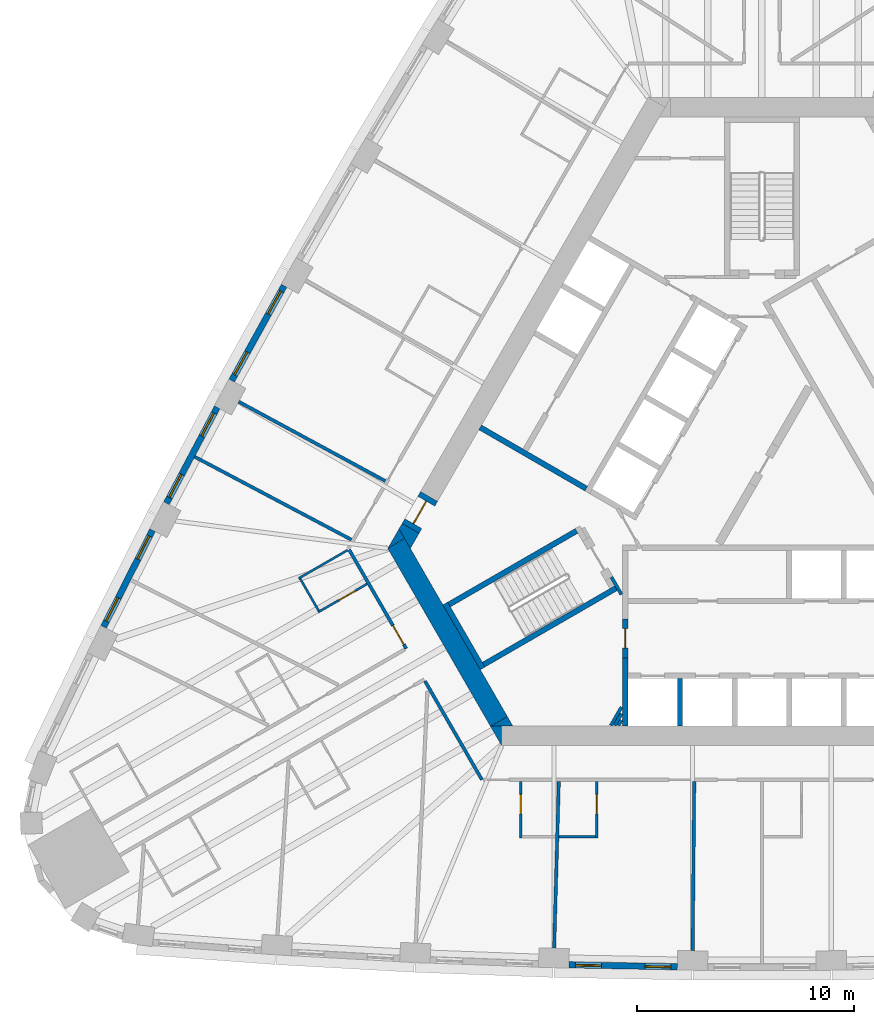
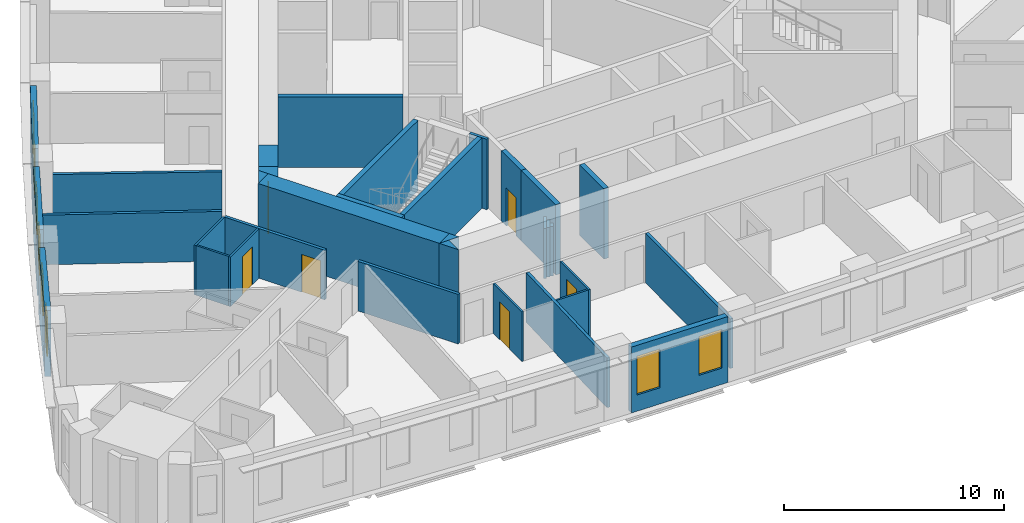
# One storey, part 4 of 13: 33 walls, 8 windows, 6 doors, 14 openings.
"""IFC4 building model written with IfcOpenShell, lengths in metres."""

from ifc_helpers import new_model, si_unit, direction, frame, frame_2d, origin, place, context, subcontext, project, spatial, polyline, rectangle, outline, extrude, material, layer, layer_set, type_object, element, fill, save


model = new_model("IFC4")

# Units and contexts
model_context = context("Model", 3, precision=1e-05, world=origin(), true_north=direction((0.0, 1.0)))
body_context = subcontext(model_context, "Body", "Model", "MODEL_VIEW")
ifc_project = project(units=[si_unit("LENGTHUNIT", "METRE"), si_unit("AREAUNIT", "SQUARE_METRE"), si_unit("VOLUMEUNIT", "CUBIC_METRE"), si_unit("PLANEANGLEUNIT", "RADIAN"), si_unit("MASSUNIT", "GRAM", prefix="KILO")], contexts=[model_context])

# Site, building, storey
site_placement = place(None, origin())
site = spatial("IfcSite", under=ifc_project, at=site_placement, CompositionType="ELEMENT")
building_placement = place(site_placement, origin())
building = spatial("IfcBuilding", under=site, at=building_placement, Name="Mestral Congress Tower", CompositionType="ELEMENT")
storey_placement = place(building_placement, frame((0.0, 0.0, 31.5)))
storey = spatial("IfcBuildingStorey", under=building, at=storey_placement, Name="L06", CompositionType="ELEMENT", Elevation=31.5)

# Walls
ifc_material_1 = material(Name="Fire-rated board partition")
ifc_layer_1 = layer(ifc_material_1, 0.14990234375)
ifc_layer_set_1 = layer_set([ifc_layer_1], Name="Fire-rated board partition")
wall_type_1 = type_object("IfcWallType", Name="Core partition 150", PredefinedType="PARTITIONING", material=ifc_layer_set_1)
wall_1_placement = place(storey_placement, frame((-6.967529296875, -12.068115234375, 0.0), z_axis=(0.0, 0.0, 1.0), x_axis=(0.49998975084, 0.866031321059, 0.0)))
element("IfcWall", 1, at=wall_1_placement, inside=storey, type_object=wall_type_1, Name="L06 core wall", PredefinedType="PARTITIONING", context=body_context, shape_type="SweptSolid", body=[
    extrude(rectangle(XDim=0.97509765625, YDim=0.14990234375, at=frame_2d((0.487548828125, 0.0))), origin(), (0.0, 0.0, 1.0), 2.75),
])
wall_2_placement = place(storey_placement, frame((-6.794189453125, -12.068115234375, 0.0), z_axis=(0.0, 0.0, 1.0), x_axis=(0.49985693963, 0.866107983974, 0.0)))
element("IfcWall", 2, at=wall_2_placement, inside=storey, type_object=wall_type_1, Name="L06 core wall", PredefinedType="PARTITIONING", context=body_context, shape_type="SweptSolid", body=[
    extrude(rectangle(XDim=0.628662109375, YDim=0.14990234375, at=frame_2d((0.314453125, 0.0))), origin(), (0.0, 0.0, 1.0), 2.75),
])
wall_3_placement = place(storey_placement, frame((-6.62109375, -12.068115234375, 0.0), z_axis=(0.0, 0.0, 1.0), x_axis=(0.500046963369, 0.865998287773, 0.0)))
element("IfcWall", 3, at=wall_3_placement, inside=storey, type_object=wall_type_1, Name="L06 core wall", PredefinedType="PARTITIONING", context=body_context, shape_type="SweptSolid", body=[
    extrude(rectangle(XDim=0.2822265625, YDim=0.14990234375, at=frame_2d((0.14111328125, 0.0))), origin(), (0.0, 0.0, 1.0), 2.75),
])
ifc_material_2 = material(Name="Concrete C60/75", Category="concrete")
ifc_layer_2 = layer(ifc_material_2, 0.89990234375)
ifc_layer_set_2 = layer_set([ifc_layer_2], Name="Concrete C60/75")
wall_type_2 = type_object("IfcWallType", Name="Core wall RC 900", PredefinedType="SOLIDWALL", material=ifc_layer_set_2)
placement = place(storey_placement, origin())
element("IfcWall", 4, at=placement, inside=storey, type_object=wall_type_2, Name="L06 core wall", PredefinedType="SOLIDWALL", context=body_context, shape_type="SweptSolid", body=[
    extrude(outline(polyline([(-12.528564453125, -12.10009765625), (-12.0205078125, -12.10009765625), (-12.0205078125, -12.97998046875), (-12.528564453125, -12.10009765625)])), origin(), (0.0, 0.0, 1.0), 3.89990234375),
])
wall_5_placement = place(storey_placement, frame((-12.134033203125, -11.88330078125, 0.0), z_axis=(0.0, 0.0, 1.0), x_axis=(-0.500005339912, 0.866022320763, 0.0)))
element("IfcWall", 5, at=wall_5_placement, inside=storey, type_object=wall_type_2, Name="L06 core wall", PredefinedType="SOLIDWALL", context=body_context, shape_type="SweptSolid", body=[
    extrude(rectangle(XDim=9.48779296875, YDim=0.89990234375, at=frame_2d((4.743896484375, 0.0))), origin(), (0.0, 0.0, 1.0), 3.89990234375),
])
element("IfcWall", 6, at=placement, inside=storey, type_object=wall_type_2, Name="L06 core wall", PredefinedType="SOLIDWALL", context=body_context, shape_type="SweptSolid", body=[
    extrude(outline(polyline([(-16.4892578125, -3.43994140625), (-17.251220703125, -3.8798828125), (-16.7431640625, -3.0), (-16.4892578125, -3.43994140625)])), origin(), (0.0, 0.0, 1.0), 3.89990234375),
])
element("IfcWall", 7, at=placement, inside=storey, type_object=wall_type_2, Name="L06 core wall", PredefinedType="SOLIDWALL", context=body_context, shape_type="SweptSolid", body=[
    extrude(outline(polyline([(-11.4892578125, -12.10009765625), (-12.50537109375, -12.10009765625), (-11.743408203125, -11.66015625), (-11.4892578125, -12.10009765625)])), origin(), (0.0, 0.0, 1.0), 3.89990234375),
])
element("IfcWall", 8, at=placement, inside=storey, type_object=wall_type_2, Name="L06 core wall", PredefinedType="SOLIDWALL", context=body_context, shape_type="SweptSolid", body=[
    extrude(outline(polyline([(-15.81982421875, -3.20068359375), (-16.223388671875, -3.89990234375), (-16.7431640625, -3.0), (-16.599365234375, -2.750732421875), (-15.81982421875, -3.20068359375)])), origin(), (0.0, 0.0, 1.0), 3.89990234375),
])

# Wall, opening, door
wall_9_placement = place(storey_placement, frame((-16.20947265625, -2.9755859375, 0.0), z_axis=(0.0, 0.0, 1.0), x_axis=(0.499954529098, 0.86605165483, 0.0)))
wall_9 = element("IfcWall", 9, at=wall_9_placement, inside=storey, type_object=wall_type_2, Name="L06 door wall", PredefinedType="SOLIDWALL", context=body_context, shape_type="SweptSolid", body=[
    extrude(rectangle(XDim=1.699951171875, YDim=0.89990234375, at=frame_2d((0.85009765625, 0.0))), origin(), (0.0, 0.0, 1.0), 3.89990234375),
])
opening_1_placement = place(wall_9_placement, frame((0.25, 0.0, 0.0)))
opening_1 = element("IfcOpeningElement", 10, at=opening_1_placement, cuts=wall_9, Name="Opening XD3", PredefinedType="OPENING", context=body_context, shape_type="SweptSolid", body=[
    extrude(rectangle(XDim=1.199951171875, YDim=2.10009765625, at=frame_2d((0.60009765625, 1.050048828125))), frame((0.0, 0.4599609375, 0.0), z_axis=(0.0, -1.0, 0.0), x_axis=(1.0, 0.0, 0.0)), (0.0, 0.0, 1.0), 0.919921875),
])
ifc_material_3 = material(Name="Fire-rated steel door set", Category="steel")
door_type_1 = type_object("IfcDoorType", Name="Core door XD 1200x2100", OperationType="SINGLE_SWING_LEFT", PredefinedType="DOOR", material=ifc_material_3)
door_1_placement = place(opening_1_placement, origin())
door_1 = element("IfcDoor", 11, at=door_1_placement, inside=storey, type_object=door_type_1, Name="Door XD3", OperationType="SINGLE_SWING_LEFT", OverallHeight=2.10009765625, OverallWidth=1.199951171875, PredefinedType="DOOR", context=body_context, shape_type="SweptSolid", body=[
    extrude(rectangle(XDim=1.199951171875, YDim=2.10009765625, at=frame_2d((0.60009765625, 1.050048828125))), frame((0.0, 0.02490234375, 0.0), z_axis=(0.0, -1.0, 0.0), x_axis=(1.0, 0.0, 0.0)), (0.0, 0.0, 1.0), 0.050048828125),
])
fill(opening_1, door_1)

# Wall, openings, windows
ifc_material_4 = material(Name="Precast concrete C40/50 with limestone facing", Category="masonry")
ifc_layer_3 = layer(ifc_material_4, 0.2900390625)
ifc_layer_set_3 = layer_set([ifc_layer_3], Name="Precast concrete C40/50 with limestone facing")
wall_type_3 = type_object("IfcWallType", Name="Facade stone wall 290", PredefinedType="SOLIDWALL", material=ifc_layer_set_3)
wall_10_placement = place(storey_placement, frame((-8.903564453125, -23.11279296875, 0.0), z_axis=(0.0, 0.0, 1.0), x_axis=(0.999829529479, -0.018463801951, 0.0)))
wall_10 = element("IfcWall", 12, at=wall_10_placement, inside=storey, type_object=wall_type_3, Name="Facade wall F0-03", PredefinedType="SOLIDWALL", context=body_context, shape_type="SweptSolid", body=[
    extrude(rectangle(XDim=4.998046875, YDim=0.2900390625, at=frame_2d((2.4990234375, 0.0))), origin(), (0.0, 0.0, 1.0), 3.64990234375),
])
opening_2_placement = place(wall_10_placement, frame((0.297119140625, 0.0, 0.89990234375)))
opening_2 = element("IfcOpeningElement", 13, at=opening_2_placement, cuts=wall_10, Name="Opening W1", PredefinedType="OPENING", context=body_context, shape_type="SweptSolid", body=[
    extrude(rectangle(XDim=1.199951171875, YDim=2.14990234375, at=frame_2d((0.60009765625, 1.074951171875))), frame((0.0, 0.155029296875, 0.0), z_axis=(0.0, -1.0, 0.0), x_axis=(1.0, 0.0, 0.0)), (0.0, 0.0, 1.0), 0.31005859375),
])
opening_3_placement = place(wall_10_placement, frame((3.501220703125, 0.0, 0.89990234375)))
opening_3 = element("IfcOpeningElement", 14, at=opening_3_placement, cuts=wall_10, Name="Opening W1", PredefinedType="OPENING", context=body_context, shape_type="SweptSolid", body=[
    extrude(rectangle(XDim=1.199951171875, YDim=2.14990234375, at=frame_2d((0.60009765625, 1.074951171875))), frame((0.0, 0.155029296875, 0.0), z_axis=(0.0, -1.0, 0.0), x_axis=(1.0, 0.0, 0.0)), (0.0, 0.0, 1.0), 0.31005859375),
])
ifc_material_5 = material(Name="Clear low-emissivity double glazing", Category="glass")
window_type = type_object("IfcWindowType", Name="Facade punched window 1200 x 2150 sill 900", PartitioningType="DOUBLE_PANEL_VERTICAL", PredefinedType="WINDOW", material=ifc_material_5)
window_1_placement = place(opening_2_placement, origin())
window_1 = element("IfcWindow", 15, at=window_1_placement, inside=storey, type_object=window_type, Name="Window F0-03a", OverallHeight=2.14990234375, OverallWidth=1.199951171875, PartitioningType="DOUBLE_PANEL_VERTICAL", PredefinedType="WINDOW", context=body_context, shape_type="SweptSolid", body=[
    extrude(rectangle(XDim=1.199951171875, YDim=2.14990234375, at=frame_2d((0.60009765625, 1.074951171875))), frame((0.0, 0.01513671875, 0.0), z_axis=(0.0, -1.0, 0.0), x_axis=(1.0, 0.0, 0.0)), (0.0, 0.0, 1.0), 0.06005859375),
])
fill(opening_2, window_1)
window_2_placement = place(opening_3_placement, origin())
window_2 = element("IfcWindow", 16, at=window_2_placement, inside=storey, type_object=window_type, Name="Window F0-03b", OverallHeight=2.14990234375, OverallWidth=1.199951171875, PartitioningType="DOUBLE_PANEL_VERTICAL", PredefinedType="WINDOW", context=body_context, shape_type="SweptSolid", body=[
    extrude(rectangle(XDim=1.199951171875, YDim=2.14990234375, at=frame_2d((0.60009765625, 1.074951171875))), frame((0.0, 0.01513671875, 0.0), z_axis=(0.0, -1.0, 0.0), x_axis=(1.0, 0.0, 0.0)), (0.0, 0.0, 1.0), 0.06005859375),
])
fill(opening_3, window_2)

wall_11_placement = place(storey_placement, frame((-22.049560546875, 8.2197265625, 0.0), z_axis=(0.0, 0.0, 1.0), x_axis=(-0.483912572871, -0.875116347589, 0.0)))
wall_11 = element("IfcWall", 17, at=wall_11_placement, inside=storey, type_object=wall_type_3, Name="Facade wall F2-05", PredefinedType="SOLIDWALL", context=body_context, shape_type="SweptSolid", body=[
    extrude(rectangle(XDim=4.998291015625, YDim=0.2900390625, at=frame_2d((2.4990234375, 0.0))), origin(), (0.0, 0.0, 1.0), 3.64990234375),
])
opening_4_placement = place(wall_11_placement, frame((0.297119140625, 0.0, 0.89990234375)))
opening_4 = element("IfcOpeningElement", 18, at=opening_4_placement, cuts=wall_11, Name="Opening W1", PredefinedType="OPENING", context=body_context, shape_type="SweptSolid", body=[
    extrude(rectangle(XDim=1.199951171875, YDim=2.14990234375, at=frame_2d((0.60009765625, 1.074951171875))), frame((0.0, 0.155029296875, 0.0), z_axis=(0.0, -1.0, 0.0), x_axis=(1.0, 0.0, 0.0)), (0.0, 0.0, 1.0), 0.31005859375),
])
opening_5_placement = place(wall_11_placement, frame((3.501220703125, 0.0, 0.89990234375)))
opening_5 = element("IfcOpeningElement", 19, at=opening_5_placement, cuts=wall_11, Name="Opening W1", PredefinedType="OPENING", context=body_context, shape_type="SweptSolid", body=[
    extrude(rectangle(XDim=1.199951171875, YDim=2.14990234375, at=frame_2d((0.60009765625, 1.074951171875))), frame((0.0, 0.155029296875, 0.0), z_axis=(0.0, -1.0, 0.0), x_axis=(1.0, 0.0, 0.0)), (0.0, 0.0, 1.0), 0.31005859375),
])
window_3_placement = place(opening_4_placement, origin())
window_3 = element("IfcWindow", 20, at=window_3_placement, inside=storey, type_object=window_type, Name="Window F2-05a", OverallHeight=2.14990234375, OverallWidth=1.199951171875, PartitioningType="DOUBLE_PANEL_VERTICAL", PredefinedType="WINDOW", context=body_context, shape_type="SweptSolid", body=[
    extrude(rectangle(XDim=1.199951171875, YDim=2.14990234375, at=frame_2d((0.60009765625, 1.074951171875))), frame((0.0, 0.01513671875, 0.0), z_axis=(0.0, -1.0, 0.0), x_axis=(1.0, 0.0, 0.0)), (0.0, 0.0, 1.0), 0.06005859375),
])
fill(opening_4, window_3)
window_4_placement = place(opening_5_placement, origin())
window_4 = element("IfcWindow", 21, at=window_4_placement, inside=storey, type_object=window_type, Name="Window F2-05b", OverallHeight=2.14990234375, OverallWidth=1.199951171875, PartitioningType="DOUBLE_PANEL_VERTICAL", PredefinedType="WINDOW", context=body_context, shape_type="SweptSolid", body=[
    extrude(rectangle(XDim=1.199951171875, YDim=2.14990234375, at=frame_2d((0.60009765625, 1.074951171875))), frame((0.0, 0.01513671875, 0.0), z_axis=(0.0, -1.0, 0.0), x_axis=(1.0, 0.0, 0.0)), (0.0, 0.0, 1.0), 0.06005859375),
])
fill(opening_5, window_4)

wall_12_placement = place(storey_placement, frame((-25.1376953125, 2.60791015625, 0.0), z_axis=(0.0, 0.0, 1.0), x_axis=(-0.467629620899, -0.883924509026, 0.0)))
wall_12 = element("IfcWall", 22, at=wall_12_placement, inside=storey, type_object=wall_type_3, Name="Facade wall F2-06", PredefinedType="SOLIDWALL", context=body_context, shape_type="SweptSolid", body=[
    extrude(rectangle(XDim=4.998291015625, YDim=0.2900390625, at=frame_2d((2.4990234375, 0.0))), origin(), (0.0, 0.0, 1.0), 3.64990234375),
])
opening_6_placement = place(wall_12_placement, frame((0.297119140625, 0.0, 0.89990234375)))
opening_6 = element("IfcOpeningElement", 23, at=opening_6_placement, cuts=wall_12, Name="Opening W1", PredefinedType="OPENING", context=body_context, shape_type="SweptSolid", body=[
    extrude(rectangle(XDim=1.199951171875, YDim=2.14990234375, at=frame_2d((0.60009765625, 1.074951171875))), frame((0.0, 0.155029296875, 0.0), z_axis=(0.0, -1.0, 0.0), x_axis=(1.0, 0.0, 0.0)), (0.0, 0.0, 1.0), 0.31005859375),
])
opening_7_placement = place(wall_12_placement, frame((3.501220703125, 0.0, 0.89990234375)))
opening_7 = element("IfcOpeningElement", 24, at=opening_7_placement, cuts=wall_12, Name="Opening W1", PredefinedType="OPENING", context=body_context, shape_type="SweptSolid", body=[
    extrude(rectangle(XDim=1.199951171875, YDim=2.14990234375, at=frame_2d((0.60009765625, 1.074951171875))), frame((0.0, 0.155029296875, 0.0), z_axis=(0.0, -1.0, 0.0), x_axis=(1.0, 0.0, 0.0)), (0.0, 0.0, 1.0), 0.31005859375),
])
window_5_placement = place(opening_6_placement, origin())
window_5 = element("IfcWindow", 25, at=window_5_placement, inside=storey, type_object=window_type, Name="Window F2-06a", OverallHeight=2.14990234375, OverallWidth=1.199951171875, PartitioningType="DOUBLE_PANEL_VERTICAL", PredefinedType="WINDOW", context=body_context, shape_type="SweptSolid", body=[
    extrude(rectangle(XDim=1.199951171875, YDim=2.14990234375, at=frame_2d((0.60009765625, 1.074951171875))), frame((0.0, 0.01513671875, 0.0), z_axis=(0.0, -1.0, 0.0), x_axis=(1.0, 0.0, 0.0)), (0.0, 0.0, 1.0), 0.06005859375),
])
fill(opening_6, window_5)
window_6_placement = place(opening_7_placement, origin())
window_6 = element("IfcWindow", 26, at=window_6_placement, inside=storey, type_object=window_type, Name="Window F2-06b", OverallHeight=2.14990234375, OverallWidth=1.199951171875, PartitioningType="DOUBLE_PANEL_VERTICAL", PredefinedType="WINDOW", context=body_context, shape_type="SweptSolid", body=[
    extrude(rectangle(XDim=1.199951171875, YDim=2.14990234375, at=frame_2d((0.60009765625, 1.074951171875))), frame((0.0, 0.01513671875, 0.0), z_axis=(0.0, -1.0, 0.0), x_axis=(1.0, 0.0, 0.0)), (0.0, 0.0, 1.0), 0.06005859375),
])
fill(opening_7, window_6)

wall_13_placement = place(storey_placement, frame((-28.12158203125, -3.06005859375, 0.0), z_axis=(0.0, 0.0, 1.0), x_axis=(-0.451233929645, -0.892405704115, 0.0)))
wall_13 = element("IfcWall", 27, at=wall_13_placement, inside=storey, type_object=wall_type_3, Name="Facade wall F2-07", PredefinedType="SOLIDWALL", context=body_context, shape_type="SweptSolid", body=[
    extrude(rectangle(XDim=4.998291015625, YDim=0.2900390625, at=frame_2d((2.4990234375, 0.0))), origin(), (0.0, 0.0, 1.0), 3.64990234375),
])
opening_8_placement = place(wall_13_placement, frame((0.297119140625, 0.0, 0.89990234375)))
opening_8 = element("IfcOpeningElement", 28, at=opening_8_placement, cuts=wall_13, Name="Opening W1", PredefinedType="OPENING", context=body_context, shape_type="SweptSolid", body=[
    extrude(rectangle(XDim=1.199951171875, YDim=2.14990234375, at=frame_2d((0.60009765625, 1.074951171875))), frame((0.0, 0.155029296875, 0.0), z_axis=(0.0, -1.0, 0.0), x_axis=(1.0, 0.0, 0.0)), (0.0, 0.0, 1.0), 0.31005859375),
])
opening_9_placement = place(wall_13_placement, frame((3.501220703125, 0.0, 0.89990234375)))
opening_9 = element("IfcOpeningElement", 29, at=opening_9_placement, cuts=wall_13, Name="Opening W1", PredefinedType="OPENING", context=body_context, shape_type="SweptSolid", body=[
    extrude(rectangle(XDim=1.199951171875, YDim=2.14990234375, at=frame_2d((0.60009765625, 1.074951171875))), frame((0.0, 0.155029296875, 0.0), z_axis=(0.0, -1.0, 0.0), x_axis=(1.0, 0.0, 0.0)), (0.0, 0.0, 1.0), 0.31005859375),
])
window_7_placement = place(opening_8_placement, origin())
window_7 = element("IfcWindow", 30, at=window_7_placement, inside=storey, type_object=window_type, Name="Window F2-07a", OverallHeight=2.14990234375, OverallWidth=1.199951171875, PartitioningType="DOUBLE_PANEL_VERTICAL", PredefinedType="WINDOW", context=body_context, shape_type="SweptSolid", body=[
    extrude(rectangle(XDim=1.199951171875, YDim=2.14990234375, at=frame_2d((0.60009765625, 1.074951171875))), frame((0.0, 0.01513671875, 0.0), z_axis=(0.0, -1.0, 0.0), x_axis=(1.0, 0.0, 0.0)), (0.0, 0.0, 1.0), 0.06005859375),
])
fill(opening_8, window_7)
window_8_placement = place(opening_9_placement, origin())
window_8 = element("IfcWindow", 31, at=window_8_placement, inside=storey, type_object=window_type, Name="Window F2-07b", OverallHeight=2.14990234375, OverallWidth=1.199951171875, PartitioningType="DOUBLE_PANEL_VERTICAL", PredefinedType="WINDOW", context=body_context, shape_type="SweptSolid", body=[
    extrude(rectangle(XDim=1.199951171875, YDim=2.14990234375, at=frame_2d((0.60009765625, 1.074951171875))), frame((0.0, 0.01513671875, 0.0), z_axis=(0.0, -1.0, 0.0), x_axis=(1.0, 0.0, 0.0)), (0.0, 0.0, 1.0), 0.06005859375),
])
fill(opening_9, window_8)

# Wall, opening, door
ifc_material_6 = material(Name="Gypsum board partition on metal studs with mineral wool", Category="composite")
ifc_layer_4 = layer(ifc_material_6, 0.10009765625)
ifc_layer_set_4 = layer_set([ifc_layer_4], Name="Gypsum board partition on metal studs with mineral wool")
wall_type_4 = type_object("IfcWallType", Name="Hotel partition wall 100", PredefinedType="PARTITIONING", material=ifc_layer_set_4)
wall_14_placement = place(storey_placement, frame((-11.126708984375, -14.64990234375, 0.0), z_axis=(0.0, 0.0, 1.0), x_axis=(0.0, -1.0, 0.0)))
wall_14 = element("IfcWall", 32, at=wall_14_placement, inside=storey, type_object=wall_type_4, Name="L06-h-pod03a", PredefinedType="PARTITIONING", context=body_context, shape_type="SweptSolid", body=[
    extrude(rectangle(XDim=2.60009765625, YDim=0.10009765625, at=frame_2d((1.300048828125, 0.0))), origin(), (0.0, 0.0, 1.0), 2.75),
])
opening_10_placement = place(wall_14_placement, frame((0.60009765625, 0.0, 0.0)))
opening_10 = element("IfcOpeningElement", 33, at=opening_10_placement, cuts=wall_14, Name="Opening H01-006", PredefinedType="OPENING", context=body_context, shape_type="SweptSolid", body=[
    extrude(rectangle(XDim=0.89990234375, YDim=2.10009765625, at=frame_2d((0.449951171875, 1.050048828125))), frame((0.0, 0.06005859375, 0.0), z_axis=(0.0, -1.0, 0.0), x_axis=(1.0, 0.0, 0.0)), (0.0, 0.0, 1.0), 0.1201171875),
])
ifc_material_7 = material(Name="Timber veneer door leaf in timber frame", Category="wood")
door_type_2 = type_object("IfcDoorType", Name="Bathroom door 900", OperationType="SINGLE_SWING_LEFT", PredefinedType="DOOR", material=ifc_material_7)
door_2_placement = place(opening_10_placement, origin())
door_2 = element("IfcDoor", 34, at=door_2_placement, inside=storey, type_object=door_type_2, Name="L06-h-d006", OperationType="SINGLE_SWING_RIGHT", OverallHeight=2.10009765625, OverallWidth=0.89990234375, PredefinedType="DOOR", context=body_context, shape_type="SweptSolid", body=[
    extrude(rectangle(XDim=0.89990234375, YDim=2.10009765625, at=frame_2d((0.449951171875, 1.050048828125))), frame((0.0, 0.02490234375, 0.0), z_axis=(0.0, -1.0, 0.0), x_axis=(1.0, 0.0, 0.0)), (0.0, 0.0, 1.0), 0.050048828125),
])
fill(opening_10, door_2)

wall_15_placement = place(storey_placement, frame((-7.619384765625, -17.25, 0.0), z_axis=(0.0, 0.0, 1.0), x_axis=(0.0, 1.0, 0.0)))
wall_15 = element("IfcWall", 35, at=wall_15_placement, inside=storey, type_object=wall_type_4, Name="L06-h-pod04a", PredefinedType="PARTITIONING", context=body_context, shape_type="SweptSolid", body=[
    extrude(rectangle(XDim=2.60009765625, YDim=0.10009765625, at=frame_2d((1.300048828125, 0.0))), origin(), (0.0, 0.0, 1.0), 2.75),
])
opening_11_placement = place(wall_15_placement, frame((1.10009765625, 0.0, 0.0)))
opening_11 = element("IfcOpeningElement", 36, at=opening_11_placement, cuts=wall_15, Name="Opening H01-008", PredefinedType="OPENING", context=body_context, shape_type="SweptSolid", body=[
    extrude(rectangle(XDim=0.89990234375, YDim=2.10009765625, at=frame_2d((0.449951171875, 1.050048828125))), frame((0.0, 0.06005859375, 0.0), z_axis=(0.0, -1.0, 0.0), x_axis=(1.0, 0.0, 0.0)), (0.0, 0.0, 1.0), 0.1201171875),
])
door_3_placement = place(opening_11_placement, origin())
door_3 = element("IfcDoor", 37, at=door_3_placement, inside=storey, type_object=door_type_2, Name="L06-h-d008", OperationType="SINGLE_SWING_LEFT", OverallHeight=2.10009765625, OverallWidth=0.89990234375, PredefinedType="DOOR", context=body_context, shape_type="SweptSolid", body=[
    extrude(rectangle(XDim=0.89990234375, YDim=2.10009765625, at=frame_2d((0.449951171875, 1.050048828125))), frame((0.0, 0.02490234375, 0.0), z_axis=(0.0, -1.0, 0.0), x_axis=(1.0, 0.0, 0.0)), (0.0, 0.0, 1.0), 0.050048828125),
])
fill(opening_11, door_3)

# Wall
wall_16_placement = place(storey_placement, frame((-7.669189453125, -17.199951171875, 0.0), z_axis=(0.0, 0.0, 1.0), x_axis=(-1.0, 0.0, 0.0)))
element("IfcWall", 38, at=wall_16_placement, inside=storey, type_object=wall_type_4, Name="L06-h-pod04b", PredefinedType="PARTITIONING", context=body_context, shape_type="SweptSolid", body=[
    extrude(rectangle(XDim=1.690185546875, YDim=0.10009765625, at=frame_2d((0.84521484375, 0.0))), origin(), (0.0, 0.0, 1.0), 2.75),
])

# Wall, opening, door
wall_17_placement = place(storey_placement, frame((-20.472900390625, -6.839599609375, 0.0), z_axis=(0.0, 0.0, 1.0), x_axis=(0.865997922154, 0.500047596559, 0.0)))
wall_17 = element("IfcWall", 39, at=wall_17_placement, inside=storey, type_object=wall_type_4, Name="L06-h-pod28a", PredefinedType="PARTITIONING", context=body_context, shape_type="SweptSolid", body=[
    extrude(rectangle(XDim=2.599853515625, YDim=0.10009765625, at=frame_2d((1.2998046875, 0.0))), origin(), (0.0, 0.0, 1.0), 2.75),
])
opening_12_placement = place(wall_17_placement, frame((1.10009765625, 0.0, 0.0)))
opening_12 = element("IfcOpeningElement", 40, at=opening_12_placement, cuts=wall_17, Name="Opening H01-053", PredefinedType="OPENING", context=body_context, shape_type="SweptSolid", body=[
    extrude(rectangle(XDim=0.89990234375, YDim=2.10009765625, at=frame_2d((0.449951171875, 1.050048828125))), frame((0.0, 0.06005859375, 0.0), z_axis=(0.0, -1.0, 0.0), x_axis=(1.0, 0.0, 0.0)), (0.0, 0.0, 1.0), 0.1201171875),
])
door_4_placement = place(opening_12_placement, origin())
door_4 = element("IfcDoor", 41, at=door_4_placement, inside=storey, type_object=door_type_2, Name="L06-h-d053", OperationType="SINGLE_SWING_LEFT", OverallHeight=2.10009765625, OverallWidth=0.89990234375, PredefinedType="DOOR", context=body_context, shape_type="SweptSolid", body=[
    extrude(rectangle(XDim=0.89990234375, YDim=2.10009765625, at=frame_2d((0.449951171875, 1.050048828125))), frame((0.0, 0.02490234375, 0.0), z_axis=(0.0, -1.0, 0.0), x_axis=(1.0, 0.0, 0.0)), (0.0, 0.0, 1.0), 0.050048828125),
])
fill(opening_12, door_4)

# Walls
wall_18_placement = place(storey_placement, frame((-20.45458984375, -6.771240234375, 0.0), z_axis=(0.0, 0.0, 1.0), x_axis=(-0.500062241894, 0.865989465428, 0.0)))
element("IfcWall", 42, at=wall_18_placement, inside=storey, type_object=wall_type_4, Name="L06-h-pod28b", PredefinedType="PARTITIONING", context=body_context, shape_type="SweptSolid", body=[
    extrude(rectangle(XDim=1.699951171875, YDim=0.10009765625, at=frame_2d((0.85009765625, 0.0))), origin(), (0.0, 0.0, 1.0), 2.75),
])
wall_19_placement = place(storey_placement, frame((-19.121337890625, -3.980712890625, 0.0), z_axis=(0.0, 0.0, 1.0), x_axis=(-0.866021400173, -0.500006934395, 0.0)))
element("IfcWall", 43, at=wall_19_placement, inside=storey, type_object=wall_type_4, Name="L06-h-pod28c", PredefinedType="PARTITIONING", context=body_context, shape_type="SweptSolid", body=[
    extrude(rectangle(XDim=2.60009765625, YDim=0.10009765625, at=frame_2d((1.300048828125, 0.0))), origin(), (0.0, 0.0, 1.0), 2.75),
])

# Wall, opening, door
ifc_layer_5 = layer(ifc_material_6, 0.14990234375)
ifc_layer_set_5 = layer_set([ifc_layer_5], Name="Gypsum board partition on metal studs with mineral wool")
wall_type_5 = type_object("IfcWallType", Name="Hotel partition wall 150", PredefinedType="PARTITIONING", material=ifc_layer_set_5)
wall_20_placement = place(storey_placement, frame((-16.412353515625, -8.52294921875, 0.0), z_axis=(0.0, 0.0, 1.0), x_axis=(-0.500001929737, 0.866024289647, 0.0)))
wall_20 = element("IfcWall", 44, at=wall_20_placement, inside=storey, type_object=wall_type_5, Name="L06-h-cw09", PredefinedType="PARTITIONING", context=body_context, shape_type="SweptSolid", body=[
    extrude(rectangle(XDim=5.26806640625, YDim=0.14990234375, at=frame_2d((2.634033203125, 0.0))), origin(), (0.0, 0.0, 1.0), 2.75),
])
opening_13_placement = place(wall_20_placement, frame((0.22607421875, 0.0, 0.0)))
opening_13 = element("IfcOpeningElement", 45, at=opening_13_placement, cuts=wall_20, Name="Opening H01-052", PredefinedType="OPENING", context=body_context, shape_type="SweptSolid", body=[
    extrude(rectangle(XDim=1.0, YDim=2.10009765625, at=frame_2d((0.5, 1.050048828125))), frame((0.0, 0.0849609375, 0.0), z_axis=(0.0, -1.0, 0.0), x_axis=(1.0, 0.0, 0.0)), (0.0, 0.0, 1.0), 0.169921875),
])
ifc_material_8 = material(Name="Timber veneer door leaf in metal frame", Category="wood")
door_type_3 = type_object("IfcDoorType", Name="Guest room entrance door 1000", OperationType="SINGLE_SWING_LEFT", PredefinedType="DOOR", material=ifc_material_8)
door_5_placement = place(opening_13_placement, origin())
door_5 = element("IfcDoor", 46, at=door_5_placement, inside=storey, type_object=door_type_3, Name="L06-h-d052", OperationType="SINGLE_SWING_LEFT", OverallHeight=2.10009765625, OverallWidth=1.0, PredefinedType="DOOR", context=body_context, shape_type="SweptSolid", body=[
    extrude(rectangle(XDim=1.0, YDim=2.10009765625, at=frame_2d((0.5, 1.050048828125))), frame((0.0, 0.02490234375, 0.0), z_axis=(0.0, -1.0, 0.0), x_axis=(1.0, 0.0, 0.0)), (0.0, 0.0, 1.0), 0.050048828125),
])
fill(opening_13, door_5)

# Walls
wall_21_placement = place(storey_placement, frame((-12.918212890625, -14.574951171875, 0.0), z_axis=(0.0, 0.0, 1.0), x_axis=(-0.500009150678, 0.866020120573, 0.0)))
element("IfcWall", 47, at=wall_21_placement, inside=storey, type_object=wall_type_5, Name="L06-h-cw12", PredefinedType="PARTITIONING", context=body_context, shape_type="SweptSolid", body=[
    extrude(rectangle(XDim=5.25830078125, YDim=0.14990234375, at=frame_2d((2.629150390625, 0.0))), origin(), (0.0, 0.0, 1.0), 2.75),
])
wall_22_placement = place(storey_placement, frame((-26.17822265625, 0.3310546875, 0.0), z_axis=(0.0, 0.0, 1.0), x_axis=(0.883908370409, -0.467660125221, 0.0)))
element("IfcWall", 48, at=wall_22_placement, inside=storey, type_object=wall_type_5, Name="L06-h-pw05", PredefinedType="PARTITIONING", context=body_context, shape_type="SweptSolid", body=[
    extrude(rectangle(XDim=8.18212890625, YDim=0.14990234375, at=frame_2d((4.091064453125, 0.0))), origin(), (0.0, 0.0, 1.0), 2.75),
])
wall_23_placement = place(storey_placement, frame((-24.14453125, 2.87060546875, 0.0), z_axis=(0.0, 0.0, 1.0), x_axis=(0.879551725039, -0.475803281809, 0.0)))
element("IfcWall", 49, at=wall_23_placement, inside=storey, type_object=wall_type_5, Name="L06-h-pw06", PredefinedType="PARTITIONING", context=body_context, shape_type="SweptSolid", body=[
    extrude(rectangle(XDim=7.68798828125, YDim=0.14990234375, at=frame_2d((3.843994140625, 0.0))), origin(), (0.0, 0.0, 1.0), 2.75),
])
wall_24_placement = place(storey_placement, frame((-9.586181640625, -22.34521484375, 0.0), z_axis=(0.0, 0.0, 1.0), x_axis=(0.027722115646, 0.999615668297, 0.0)))
element("IfcWall", 50, at=wall_24_placement, inside=storey, type_object=wall_type_5, Name="L06-h-pw10", PredefinedType="PARTITIONING", context=body_context, shape_type="SweptSolid", body=[
    extrude(rectangle(XDim=7.688232421875, YDim=0.14990234375, at=frame_2d((3.84423828125, 0.0))), origin(), (0.0, 0.0, 1.0), 2.75),
])
wall_25_placement = place(storey_placement, frame((-3.19580078125, -22.463134765625, 0.0), z_axis=(0.0, 0.0, 1.0), x_axis=(0.00926060032, 0.999957119721, 0.0)))
element("IfcWall", 51, at=wall_25_placement, inside=storey, type_object=wall_type_5, Name="L06-h-pw12", PredefinedType="PARTITIONING", context=body_context, shape_type="SweptSolid", body=[
    extrude(rectangle(XDim=7.803466796875, YDim=0.14990234375, at=frame_2d((3.90185546875, 0.0))), origin(), (0.0, 0.0, 1.0), 2.75),
])
ifc_layer_6 = layer(ifc_material_2, 0.25)
ifc_layer_set_6 = layer_set([ifc_layer_6], Name="Concrete C60/75")
wall_type_6 = type_object("IfcWallType", Name="Shaft wall RC 250", PredefinedType="SOLIDWALL", material=ifc_layer_set_6)
wall_26_placement = place(storey_placement, frame((-3.780029296875, -12.10009765625, 0.0), z_axis=(0.0, 0.0, 1.0), x_axis=(0.0, 1.0, 0.0)))
element("IfcWall", 52, at=wall_26_placement, inside=storey, type_object=wall_type_6, Name="L06 core wall", PredefinedType="SOLIDWALL", context=body_context, shape_type="SweptSolid", body=[
    extrude(rectangle(XDim=2.199951171875, YDim=0.25, at=frame_2d((1.10009765625, 0.0))), origin(), (0.0, 0.0, 1.0), 3.89990234375),
])
wall_27_placement = place(storey_placement, frame((-6.300048828125, -12.10009765625, 0.0), z_axis=(0.0, 0.0, 1.0), x_axis=(0.0, 1.0, 0.0)))
element("IfcWall", 53, at=wall_27_placement, inside=storey, type_object=wall_type_6, Name="L06 core wall", PredefinedType="SOLIDWALL", context=body_context, shape_type="SweptSolid", body=[
    extrude(rectangle(XDim=3.1455078125, YDim=0.25, at=frame_2d((1.57275390625, 0.0))), origin(), (0.0, 0.0, 1.0), 3.89990234375),
])
wall_28_placement = place(storey_placement, frame((-8.10595703125, -1.139892578125, 0.0), z_axis=(0.0, 0.0, 1.0), x_axis=(-0.866000643155, 0.500042884217, 0.0)))
element("IfcWall", 54, at=wall_28_placement, inside=storey, type_object=wall_type_6, Name="L06 core wall", PredefinedType="SOLIDWALL", context=body_context, shape_type="SweptSolid", body=[
    extrude(rectangle(XDim=5.64990234375, YDim=0.25, at=frame_2d((2.824951171875, 0.0))), origin(), (0.0, 0.0, 1.0), 3.89990234375),
])

# Wall, opening, door
wall_29_placement = place(storey_placement, frame((-6.300048828125, -7.154296875, 0.0), z_axis=(0.0, 0.0, 1.0), x_axis=(0.0, -1.0, 0.0)))
wall_29 = element("IfcWall", 55, at=wall_29_placement, inside=storey, type_object=wall_type_6, Name="L06 door wall", PredefinedType="SOLIDWALL", context=body_context, shape_type="SweptSolid", body=[
    extrude(rectangle(XDim=1.800048828125, YDim=0.25, at=frame_2d((0.89990234375, 0.0))), origin(), (0.0, 0.0, 1.0), 3.89990234375),
])
opening_14_placement = place(wall_29_placement, frame((0.449951171875, 0.0, 0.0)))
opening_14 = element("IfcOpeningElement", 56, at=opening_14_placement, cuts=wall_29, Name="Opening TD3", PredefinedType="OPENING", context=body_context, shape_type="SweptSolid", body=[
    extrude(rectangle(XDim=0.89990234375, YDim=2.10009765625, at=frame_2d((0.449951171875, 1.050048828125))), frame((0.0, 0.135009765625, 0.0), z_axis=(0.0, -1.0, 0.0), x_axis=(1.0, 0.0, 0.0)), (0.0, 0.0, 1.0), 0.27001953125),
])
door_type_4 = type_object("IfcDoorType", Name="Core door SR 900x2100", OperationType="SINGLE_SWING_LEFT", PredefinedType="DOOR", material=ifc_material_3)
door_6_placement = place(opening_14_placement, origin())
door_6 = element("IfcDoor", 57, at=door_6_placement, inside=storey, type_object=door_type_4, Name="Door TD3", OperationType="SINGLE_SWING_LEFT", OverallHeight=2.10009765625, OverallWidth=0.89990234375, PredefinedType="DOOR", context=body_context, shape_type="SweptSolid", body=[
    extrude(rectangle(XDim=0.89990234375, YDim=2.10009765625, at=frame_2d((0.449951171875, 1.050048828125))), frame((0.0, 0.02490234375, 0.0), z_axis=(0.0, -1.0, 0.0), x_axis=(1.0, 0.0, 0.0)), (0.0, 0.0, 1.0), 0.050048828125),
])
fill(opening_14, door_6)

# Walls
ifc_layer_7 = layer(ifc_material_2, 0.14990234375)
ifc_layer_set_7 = layer_set([ifc_layer_7], Name="Concrete C60/75")
wall_type_7 = type_object("IfcWallType", Name="Shaft wall RC 250 door-wall 150", PredefinedType="SOLIDWALL", material=ifc_layer_set_7)
wall_30_placement = place(storey_placement, frame((-6.48046875, -6.026611328125, 0.0), z_axis=(0.0, 0.0, 1.0), x_axis=(-0.499927229454, 0.866067413802, 0.0)))
element("IfcWall", 58, at=wall_30_placement, inside=storey, type_object=wall_type_7, Name="L06 core wall", PredefinedType="PARTITIONING", context=body_context, shape_type="SweptSolid", body=[
    extrude(rectangle(XDim=0.928955078125, YDim=0.14990234375, at=frame_2d((0.46435546875, 0.0))), origin(), (0.0, 0.0, 1.0), 3.89990234375),
])
ifc_layer_8 = layer(ifc_material_2, 0.25)
ifc_layer_set_8 = layer_set([ifc_layer_8], Name="Concrete C60/75")
wall_type_8 = type_object("IfcWallType", Name="Stair wall RC 250", PredefinedType="SOLIDWALL", material=ifc_layer_set_8)
wall_31_placement = place(storey_placement, frame((-12.885498046875, -9.431396484375, 0.0), z_axis=(0.0, 0.0, 1.0), x_axis=(-0.500020560727, 0.866013532718, 0.0)))
element("IfcWall", 59, at=wall_31_placement, inside=storey, type_object=wall_type_8, Name="L06 core wall", PredefinedType="SOLIDWALL", context=body_context, shape_type="SweptSolid", body=[
    extrude(rectangle(XDim=3.449951171875, YDim=0.25, at=frame_2d((1.72509765625, 0.0))), origin(), (0.0, 0.0, 1.0), 3.89990234375),
])
wall_32_placement = place(storey_placement, frame((-14.43994140625, -6.489501953125, 0.0), z_axis=(0.0, 0.0, 1.0), x_axis=(0.866022966069, 0.500004222222, 0.0)))
element("IfcWall", 60, at=wall_32_placement, inside=storey, type_object=wall_type_8, Name="L06 core wall", PredefinedType="SOLIDWALL", context=body_context, shape_type="SweptSolid", body=[
    extrude(rectangle(XDim=6.80029296875, YDim=0.25, at=frame_2d((3.400146484375, 0.0))), origin(), (0.0, 0.0, 1.0), 3.89990234375),
])
wall_33_placement = place(storey_placement, frame((-12.83984375, -9.2607421875, 0.0), z_axis=(0.0, 0.0, 1.0), x_axis=(0.866016039709, 0.500016218704, 0.0)))
element("IfcWall", 61, at=wall_33_placement, inside=storey, type_object=wall_type_8, Name="L06 core wall", PredefinedType="SOLIDWALL", context=body_context, shape_type="SweptSolid", body=[
    extrude(rectangle(XDim=7.050048828125, YDim=0.25, at=frame_2d((3.52490234375, 0.0))), origin(), (0.0, 0.0, 1.0), 3.89990234375),
])

save(model, "model.ifc")
